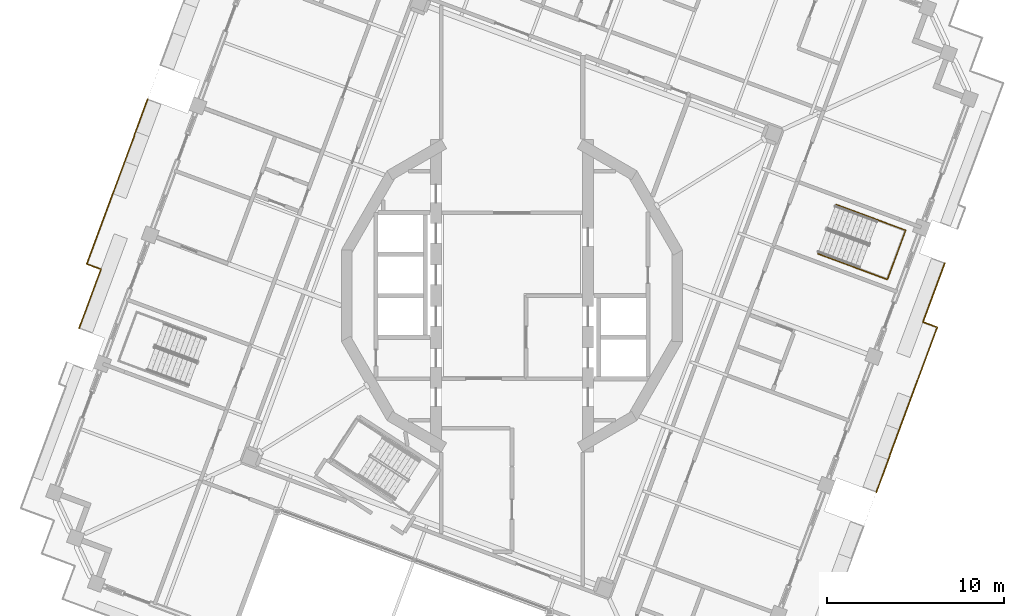
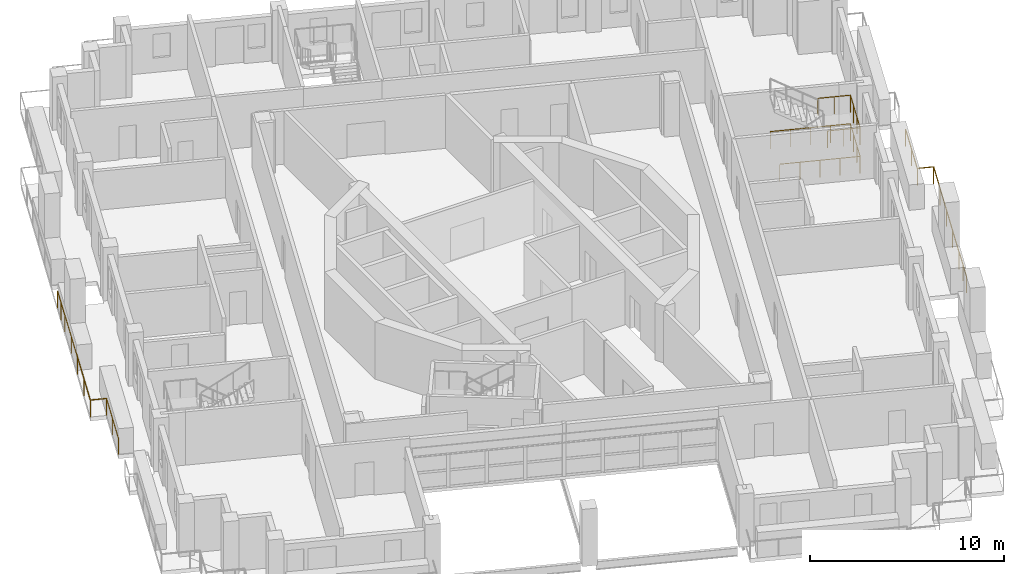
# One storey, part 16 of 19: 4 railings.
"""IFC4 building model written with IfcOpenShell, lengths in metres."""

import ifcopenshell
import ifcopenshell.guid

model = None  # the IFC model being written
_history = None  # IfcOwnerHistory: only IFC2X3 demands one
_inside = {}  # id of a spatial element -> (the spatial element, [elements in it])
_under = {}  # id of a project, library or spatial element -> (it, [spatial elements below it])
_declared = {}  # id of a project -> (the project, [libraries it declares])
_typed = {}  # id of a type object -> (the type object, [elements of that type])
_made_of = {}  # id of a material, layer set ... -> (it, [elements and type objects made of it])


def new_model(schema):
    """Start an empty IFC model of exactly this schema.

    Asked for "IFC4X3", IfcOpenShell would pick the latest addendum, in which some entities
    have other attributes; the version numbers below select the first issue.
    IFC2X3 requires an IfcOwnerHistory on every rooted entity: one is made here for all.
    """
    global model, _history
    if schema == "IFC4X3":
        model = ifcopenshell.file(schema_version=(4, 3, 0, 0))
    else:
        model = ifcopenshell.file(schema=schema)
    _inside.clear()
    _under.clear()
    _declared.clear()
    _typed.clear()
    _made_of.clear()
    _history = None
    if model.schema == "IFC2X3":
        org = make("IfcOrganization", Name="unknown")
        user = make(
            "IfcPersonAndOrganization",
            ThePerson=make("IfcPerson", FamilyName="unknown"),
            TheOrganization=org,
        )
        app = make(
            "IfcApplication",
            ApplicationDeveloper=org,
            Version="unknown",
            ApplicationFullName="unknown",
            ApplicationIdentifier="unknown",
        )
        _history = make(
            "IfcOwnerHistory",
            OwningUser=user,
            OwningApplication=app,
            ChangeAction="ADDED",
            CreationDate=0,
        )
    return model


def make(cls, **values):
    """One entity of the class cls with the attributes given. An attribute that is None is left unset."""
    return model.create_entity(
        cls, **{name: value for name, value in values.items() if value is not None}
    )


def rooted(cls, **values):
    """An entity with a GlobalId (a new one), such as an element, a storey or a relation."""
    return make(cls, GlobalId=ifcopenshell.guid.new(), OwnerHistory=_history, **values)


def si_unit(unit_type, name, prefix=None):
    """IfcSIUnit, for example si_unit("LENGTHUNIT", "METRE", prefix="MILLI")."""
    return make("IfcSIUnit", UnitType=unit_type, Prefix=prefix, Name=name)


def assignment(units):
    """IfcUnitAssignment: the units of a project."""
    return None if units is None else make("IfcUnitAssignment", Units=units)


def point(xyz):
    """IfcCartesianPoint."""
    return None if xyz is None else make("IfcCartesianPoint", Coordinates=xyz)


def direction(xyz):
    """IfcDirection."""
    return None if xyz is None else make("IfcDirection", DirectionRatios=xyz)


def frame(location, z_axis=None, x_axis=None):
    """IfcAxis2Placement3D, a coordinate frame: its origin and axes. An axis left out is left unset."""
    return make(
        "IfcAxis2Placement3D",
        Location=point(location),
        Axis=direction(z_axis),
        RefDirection=direction(x_axis),
    )


def frame_2d(location, x_axis=None):
    """IfcAxis2Placement2D, a coordinate frame in the plane: its origin and x axis."""
    return make(
        "IfcAxis2Placement2D", Location=point(location), RefDirection=direction(x_axis)
    )


def origin():
    """The frame at (0, 0, 0) with its axes left unset."""
    return frame((0.0, 0.0, 0.0))


def origin_2d():
    """The frame at (0, 0) in the plane with its x axis left unset."""
    return frame_2d((0.0, 0.0))


def place(relative_to, where):
    """IfcLocalPlacement: puts the frame where relative to a parent placement (None: the world)."""
    return make(
        "IfcLocalPlacement", PlacementRelTo=relative_to, RelativePlacement=where
    )


def context(
    kind, dimensions, precision=None, world=None, true_north=None, identifier=None
):
    """IfcGeometricRepresentationContext, for example the 3D "Model" context."""
    return make(
        "IfcGeometricRepresentationContext",
        ContextIdentifier=identifier,
        ContextType=kind,
        CoordinateSpaceDimension=dimensions,
        Precision=precision,
        WorldCoordinateSystem=world,
        TrueNorth=true_north,
    )


def subcontext(parent, identifier, kind, view, scale=None):
    """IfcGeometricRepresentationSubContext, for example "Body" below "Model"."""
    return make(
        "IfcGeometricRepresentationSubContext",
        ContextIdentifier=identifier,
        ContextType=kind,
        ParentContext=parent,
        TargetScale=scale,
        TargetView=view,
    )


def project(units=None, contexts=None):
    """IfcProject with its units and contexts."""
    return rooted(
        "IfcProject",
        Name="project",
        RepresentationContexts=contexts,
        UnitsInContext=assignment(units),
    )


def spatial(cls, under=None, at=None, **own):
    """A site, building, storey or space (cls), placed at a placement, below another one or the project."""
    s = rooted(cls, ObjectPlacement=at, **own)
    if under is not None:
        _under.setdefault(under.id(), (under, []))[1].append(s)
    return s


def profile(cls, at=None, kind="AREA", **sizes):
    """A parametric profile (cls). Its sizes go by their IFC names, for example OverallWidth=200.0."""
    return make(cls, ProfileType=kind, Position=at, **sizes)


def circle(**sizes):
    """IfcCircleProfileDef."""
    return profile("IfcCircleProfileDef", **sizes)


def extrude(swept, where, along, depth):
    """IfcExtrudedAreaSolid: the profile swept, set in the frame where, extruded along a direction by depth."""
    return make(
        "IfcExtrudedAreaSolid",
        SweptArea=swept,
        Position=where,
        ExtrudedDirection=direction(along),
        Depth=depth,
    )


def shape(context_of_items, identifier, shape_type, items):
    """IfcShapeRepresentation: the items that make up one representation, for example the "Body"."""
    return make(
        "IfcShapeRepresentation",
        ContextOfItems=context_of_items,
        RepresentationIdentifier=identifier,
        RepresentationType=shape_type,
        Items=items,
    )


def material(Name=None, Category=None):
    """IfcMaterial."""
    return make("IfcMaterial", Name=Name, Category=Category)


def made_of(thing, what):
    """Note that an element or type object is made of a material, layer set ...; save() writes the relation."""
    if what is not None:
        _made_of.setdefault(what.id(), (what, []))[1].append(thing)
    return thing


def type_object(cls, material=None, **own):
    """A type object (cls), such as IfcWallType, which elements share."""
    return made_of(rooted(cls, **own), material)


def element(
    cls,
    number,
    at=None,
    inside=None,
    cuts=None,
    type_object=None,
    material=None,
    context=None,
    identifier="Body",
    shape_type=None,
    held_by="IfcProductDefinitionShape",
    body=None,
    shapes=None,
    **own,
):
    """One element of the class cls, such as IfcWall. Its Tag is "e" and its number.

    at: its placement. inside: the storey or other place that contains it. cuts: it is an
    opening in that element (IfcRelVoidsElement). A single representation is given by context,
    identifier, shape_type and body (its items); several are given by shapes. held_by: the class
    of the entity that holds the representations. save() writes the other relations.
    """
    e = rooted(cls, Tag="e%d" % number, ObjectPlacement=at, **own)
    if body is not None:
        shapes = [shape(context, identifier, shape_type, body)]
    if shapes is not None:
        e.Representation = make(held_by, Representations=shapes)
    if inside is not None:
        _inside.setdefault(inside.id(), (inside, []))[1].append(e)
    if cuts is not None:
        rooted(
            "IfcRelVoidsElement", RelatingBuildingElement=cuts, RelatedOpeningElement=e
        )
    if type_object is not None:
        _typed.setdefault(type_object.id(), (type_object, []))[1].append(e)
    return made_of(e, material)


def aggregate(whole, parts):
    """IfcRelAggregates: a whole, such as a stair, and the parts it consists of."""
    return rooted("IfcRelAggregates", RelatingObject=whole, RelatedObjects=parts)


def save(model, path):
    """Write the relations noted so far, then the file.

    IfcRelAggregates (storeys below a building ...), IfcRelContainedInSpatialStructure (elements
    in a storey), IfcRelDefinesByType, IfcRelAssociatesMaterial and IfcRelDeclares: one each for
    every whole, place, type object, material and project.
    """
    for whole, parts in _under.values():
        aggregate(whole, parts)
    for where, things in _inside.values():
        rooted(
            "IfcRelContainedInSpatialStructure",
            RelatedElements=things,
            RelatingStructure=where,
        )
    for kind, things in _typed.values():
        rooted("IfcRelDefinesByType", RelatedObjects=things, RelatingType=kind)
    for what, things in _made_of.values():
        rooted("IfcRelAssociatesMaterial", RelatedObjects=things, RelatingMaterial=what)
    for by, libraries in _declared.values():
        rooted("IfcRelDeclares", RelatingContext=by, RelatedDefinitions=libraries)
    model.write(path)


model = new_model("IFC4")

# Units and contexts
model_context = context("Model", 3, precision=1e-05, world=origin(), true_north=direction((0.0, 1.0)))
body_context = subcontext(model_context, "Body", "Model", "MODEL_VIEW")
ifc_project = project(units=[si_unit("LENGTHUNIT", "METRE"), si_unit("AREAUNIT", "SQUARE_METRE"), si_unit("VOLUMEUNIT", "CUBIC_METRE"), si_unit("PLANEANGLEUNIT", "RADIAN"), si_unit("MASSUNIT", "GRAM", prefix="KILO")], contexts=[model_context])

# Site, building, storey
site_placement = place(None, origin())
site = spatial("IfcSite", under=ifc_project, at=site_placement, CompositionType="ELEMENT")
building_placement = place(site_placement, origin())
building = spatial("IfcBuilding", under=site, at=building_placement, Name="Cantera Rosa Tower", CompositionType="ELEMENT")
storey_placement = place(building_placement, frame((0.0, 0.0, 320.5)))
storey = spatial("IfcBuildingStorey", under=building, at=storey_placement, Name="L71", CompositionType="ELEMENT", Elevation=320.5)

# Railings
ifc_material_1 = material(Name="Stainless steel and laminated glass", Category="steel")
railing_type_1 = type_object("IfcRailingType", Name="GUARD 1100", PredefinedType="BALUSTRADE", material=ifc_material_1)
railing_1_placement = place(storey_placement, frame((-24.501708984375, -1.8408203125, 0.0)))
element("IfcRailing", 1, at=railing_1_placement, inside=storey, type_object=railing_type_1, Name="GUARD L71-3", PredefinedType="BALUSTRADE", context=body_context, shape_type="SweptSolid", body=[
    extrude(circle(Radius=0.030029296875, at=origin_2d()), frame((0.0, 0.0, 1.070068359375), z_axis=(0.3474574284, 0.937695758469, 0.0), x_axis=(-0.937695758469, 0.3474574284, 0.0)), (0.0, 0.0, 1.0), 3.556884765625),
    extrude(circle(Radius=0.030029296875, at=origin_2d()), frame((1.23583984375, 3.335205078125, 1.070068359375), z_axis=(-0.93769038975, 0.347471916809, 0.0), x_axis=(-0.347471916809, -0.93769038975, 0.0)), (0.0, 0.0, 1.0), 0.85791015625),
    extrude(circle(Radius=0.030029296875, at=origin_2d()), frame((0.431396484375, 3.63330078125, 1.070068359375), z_axis=(0.347483265231, 0.937686184384, 0.0), x_axis=(-0.937686184384, 0.347483265231, 0.0)), (0.0, 0.0, 1.0), 7.76708984375),
    extrude(circle(Radius=0.030029296875, at=origin_2d()), frame((3.13037109375, 10.91650390625, 1.070068359375), z_axis=(-0.936329177569, 0.351123441588, 0.0), x_axis=(-0.351123441588, -0.936329177569, 0.0)), (0.0, 0.0, 1.0), 0.012451171875),
    extrude(circle(Radius=0.030029296875, at=origin_2d()), frame((3.11865234375, 10.9208984375, 1.070068359375), z_axis=(0.347383766327, 0.937723050208, 0.0), x_axis=(-0.937723050208, 0.347383766327, 0.0)), (0.0, 0.0, 1.0), 2.176513671875),
    extrude(circle(Radius=0.02490234375, at=origin_2d()), origin(), (0.0, 0.0, 1.0), 1.0400390625),
    extrude(circle(Radius=0.02490234375, at=origin_2d()), frame((0.617919921875, 1.66748046875, 0.0)), (0.0, 0.0, 1.0), 1.0400390625),
    extrude(circle(Radius=0.02490234375, at=origin_2d()), frame((1.23583984375, 3.335205078125, 0.0)), (0.0, 0.0, 1.0), 1.0400390625),
    extrude(circle(Radius=0.02490234375, at=origin_2d()), frame((0.431396484375, 3.63330078125, 0.0)), (0.0, 0.0, 1.0), 1.0400390625),
    extrude(circle(Radius=0.02490234375, at=origin_2d()), frame((1.106201171875, 5.4541015625, 0.0)), (0.0, 0.0, 1.0), 1.0400390625),
    extrude(circle(Radius=0.02490234375, at=origin_2d()), frame((1.78076171875, 7.27490234375, 0.0)), (0.0, 0.0, 1.0), 1.0400390625),
    extrude(circle(Radius=0.02490234375, at=origin_2d()), frame((2.45556640625, 9.095703125, 0.0)), (0.0, 0.0, 1.0), 1.0400390625),
    extrude(circle(Radius=0.02490234375, at=origin_2d()), frame((3.13037109375, 10.91650390625, 0.0)), (0.0, 0.0, 1.0), 1.0400390625),
    extrude(circle(Radius=0.02490234375, at=origin_2d()), frame((3.11865234375, 10.9208984375, 0.0)), (0.0, 0.0, 1.0), 1.0400390625),
    extrude(circle(Radius=0.02490234375, at=origin_2d()), frame((3.49658203125, 11.94140625, 0.0)), (0.0, 0.0, 1.0), 1.0400390625),
    extrude(circle(Radius=0.02490234375, at=origin_2d()), frame((3.874755859375, 12.9619140625, 0.0)), (0.0, 0.0, 1.0), 1.0400390625),
])
railing_2_placement = place(storey_placement, frame((24.501708984375, 1.8408203125, 0.0)))
element("IfcRailing", 2, at=railing_2_placement, inside=storey, type_object=railing_type_1, Name="GUARD L71-6", PredefinedType="BALUSTRADE", context=body_context, shape_type="SweptSolid", body=[
    extrude(circle(Radius=0.030029296875, at=origin_2d()), frame((0.0, 0.0, 1.070068359375), z_axis=(-0.3474574284, -0.937695758469, 0.0), x_axis=(0.937695758469, -0.3474574284, 0.0)), (0.0, 0.0, 1.0), 3.556884765625),
    extrude(circle(Radius=0.030029296875, at=origin_2d()), frame((-1.23583984375, -3.335205078125, 1.070068359375), z_axis=(0.93769038975, -0.347471916809, 0.0), x_axis=(0.347471916809, 0.93769038975, 0.0)), (0.0, 0.0, 1.0), 0.85791015625),
    extrude(circle(Radius=0.030029296875, at=origin_2d()), frame((-0.431396484375, -3.63330078125, 1.070068359375), z_axis=(-0.347483265231, -0.937686184384, 0.0), x_axis=(0.937686184384, -0.347483265231, 0.0)), (0.0, 0.0, 1.0), 7.76708984375),
    extrude(circle(Radius=0.030029296875, at=origin_2d()), frame((-3.13037109375, -10.91650390625, 1.070068359375), z_axis=(0.936329177569, -0.351123441588, 0.0), x_axis=(0.351123441588, 0.936329177569, 0.0)), (0.0, 0.0, 1.0), 0.012451171875),
    extrude(circle(Radius=0.030029296875, at=origin_2d()), frame((-3.11865234375, -10.9208984375, 1.070068359375), z_axis=(-0.347383766327, -0.937723050208, 0.0), x_axis=(0.937723050208, -0.347383766327, 0.0)), (0.0, 0.0, 1.0), 2.176513671875),
    extrude(circle(Radius=0.02490234375, at=origin_2d()), origin(), (0.0, 0.0, 1.0), 1.0400390625),
    extrude(circle(Radius=0.02490234375, at=origin_2d()), frame((-0.617919921875, -1.66748046875, 0.0)), (0.0, 0.0, 1.0), 1.0400390625),
    extrude(circle(Radius=0.02490234375, at=origin_2d()), frame((-1.23583984375, -3.335205078125, 0.0)), (0.0, 0.0, 1.0), 1.0400390625),
    extrude(circle(Radius=0.02490234375, at=origin_2d()), frame((-0.431396484375, -3.63330078125, 0.0)), (0.0, 0.0, 1.0), 1.0400390625),
    extrude(circle(Radius=0.02490234375, at=origin_2d()), frame((-1.106201171875, -5.4541015625, 0.0)), (0.0, 0.0, 1.0), 1.0400390625),
    extrude(circle(Radius=0.02490234375, at=origin_2d()), frame((-1.78076171875, -7.27490234375, 0.0)), (0.0, 0.0, 1.0), 1.0400390625),
    extrude(circle(Radius=0.02490234375, at=origin_2d()), frame((-2.45556640625, -9.095703125, 0.0)), (0.0, 0.0, 1.0), 1.0400390625),
    extrude(circle(Radius=0.02490234375, at=origin_2d()), frame((-3.13037109375, -10.91650390625, 0.0)), (0.0, 0.0, 1.0), 1.0400390625),
    extrude(circle(Radius=0.02490234375, at=origin_2d()), frame((-3.11865234375, -10.9208984375, 0.0)), (0.0, 0.0, 1.0), 1.0400390625),
    extrude(circle(Radius=0.02490234375, at=origin_2d()), frame((-3.49658203125, -11.94140625, 0.0)), (0.0, 0.0, 1.0), 1.0400390625),
    extrude(circle(Radius=0.02490234375, at=origin_2d()), frame((-3.874755859375, -12.9619140625, 0.0)), (0.0, 0.0, 1.0), 1.0400390625),
])
ifc_material_2 = material(Name="Steel S355J2 (EN 10025-2)", Category="steel")
railing_type_2 = type_object("IfcRailingType", Name="STAIR GUARD 1100", PredefinedType="GUARDRAIL", material=ifc_material_2)
railing_3_placement = place(storey_placement, frame((17.31494140625, 2.37109375, 0.0)))
element("IfcRailing", 3, at=railing_3_placement, inside=storey, type_object=railing_type_2, Name="L71 ST-61 stair guard 4", PredefinedType="GUARDRAIL", context=body_context, shape_type="SweptSolid", body=[
    extrude(circle(Radius=0.02392578125, at=origin_2d()), frame((0.0, 0.0, 1.076171875), z_axis=(0.937682096729, -0.3474942956, 0.0), x_axis=(0.3474942956, 0.937682096729, 0.0)), (0.0, 0.0, 1.0), 4.197998046875),
    extrude(circle(Radius=0.02392578125, at=origin_2d()), frame((3.936279296875, -1.458740234375, 1.076171875), z_axis=(0.347472311651, 0.937690243436, 0.0), x_axis=(-0.937690243436, 0.347472311651, 0.0)), (0.0, 0.0, 1.0), 2.969970703125),
    extrude(circle(Radius=0.02392578125, at=origin_2d()), frame((4.96826171875, 1.326171875, 1.076171875), z_axis=(-0.937682096729, 0.3474942956, 0.0), x_axis=(-0.3474942956, -0.937682096729, 0.0)), (0.0, 0.0, 1.0), 4.197998046875),
    extrude(circle(Radius=0.02099609375, at=origin_2d()), origin(), (0.0, 0.0, 1.0), 1.052001953125),
    extrude(circle(Radius=0.02099609375, at=origin_2d()), frame((0.984130859375, -0.36474609375, 0.0)), (0.0, 0.0, 1.0), 1.052001953125),
    extrude(circle(Radius=0.02099609375, at=origin_2d()), frame((1.96826171875, -0.7294921875, 0.0)), (0.0, 0.0, 1.0), 1.052001953125),
    extrude(circle(Radius=0.02099609375, at=origin_2d()), frame((2.9521484375, -1.093994140625, 0.0)), (0.0, 0.0, 1.0), 1.052001953125),
    extrude(circle(Radius=0.02099609375, at=origin_2d()), frame((3.936279296875, -1.458740234375, 0.0)), (0.0, 0.0, 1.0), 1.052001953125),
    extrude(circle(Radius=0.02099609375, at=origin_2d()), frame((4.2802734375, -0.530517578125, 0.0)), (0.0, 0.0, 1.0), 1.052001953125),
    extrude(circle(Radius=0.02099609375, at=origin_2d()), frame((4.624267578125, 0.39794921875, 0.0)), (0.0, 0.0, 1.0), 1.052001953125),
    extrude(circle(Radius=0.02099609375, at=origin_2d()), frame((4.96826171875, 1.326171875, 0.0)), (0.0, 0.0, 1.0), 1.052001953125),
    extrude(circle(Radius=0.02099609375, at=origin_2d()), frame((3.984130859375, 1.69091796875, 0.0)), (0.0, 0.0, 1.0), 1.052001953125),
    extrude(circle(Radius=0.02099609375, at=origin_2d()), frame((3.0, 2.0556640625, 0.0)), (0.0, 0.0, 1.0), 1.052001953125),
    extrude(circle(Radius=0.02099609375, at=origin_2d()), frame((2.01611328125, 2.420166015625, 0.0)), (0.0, 0.0, 1.0), 1.052001953125),
    extrude(circle(Radius=0.02099609375, at=origin_2d()), frame((1.031982421875, 2.784912109375, 0.0)), (0.0, 0.0, 1.0), 1.052001953125),
])
railing_4_placement = place(storey_placement, frame((19.6552734375, 1.50390625, 1.800048828125)))
element("IfcRailing", 4, at=railing_4_placement, inside=storey, type_object=railing_type_2, Name="L71 ST-61 stair guard 5", PredefinedType="GUARDRAIL", context=body_context, shape_type="SweptSolid", body=[
    extrude(circle(Radius=0.02392578125, at=origin_2d()), frame((0.0, 0.0, 1.076171875), z_axis=(0.937660486946, -0.347552602091, 0.0), x_axis=(0.347552602091, 0.937660486946, 0.0)), (0.0, 0.0, 1.0), 1.7021484375),
    extrude(circle(Radius=0.02392578125, at=origin_2d()), frame((1.595947265625, -0.591552734375, 1.076171875), z_axis=(0.347472311651, 0.937690243436, 0.0), x_axis=(-0.937690243436, 0.347472311651, 0.0)), (0.0, 0.0, 1.0), 2.969970703125),
    extrude(circle(Radius=0.02392578125, at=origin_2d()), frame((2.6279296875, 2.193359375, 1.076171875), z_axis=(-0.937660486946, 0.347552602091, 0.0), x_axis=(-0.347552602091, -0.937660486946, 0.0)), (0.0, 0.0, 1.0), 1.7021484375),
    extrude(circle(Radius=0.02099609375, at=origin_2d()), origin(), (0.0, 0.0, 1.0), 1.052001953125),
    extrude(circle(Radius=0.02099609375, at=origin_2d()), frame((0.7978515625, -0.2958984375, 0.0)), (0.0, 0.0, 1.0), 1.052001953125),
    extrude(circle(Radius=0.02099609375, at=origin_2d()), frame((1.595947265625, -0.591552734375, 0.0)), (0.0, 0.0, 1.0), 1.052001953125),
    extrude(circle(Radius=0.02099609375, at=origin_2d()), frame((1.93994140625, 0.336669921875, 0.0)), (0.0, 0.0, 1.0), 1.052001953125),
    extrude(circle(Radius=0.02099609375, at=origin_2d()), frame((2.283935546875, 1.26513671875, 0.0)), (0.0, 0.0, 1.0), 1.052001953125),
    extrude(circle(Radius=0.02099609375, at=origin_2d()), frame((2.6279296875, 2.193359375, 0.0)), (0.0, 0.0, 1.0), 1.052001953125),
    extrude(circle(Radius=0.02099609375, at=origin_2d()), frame((1.830078125, 2.4892578125, 0.0)), (0.0, 0.0, 1.0), 1.052001953125),
    extrude(circle(Radius=0.02099609375, at=origin_2d()), frame((1.031982421875, 2.784912109375, 0.0)), (0.0, 0.0, 1.0), 1.052001953125),
])

save(model, "model.ifc")
